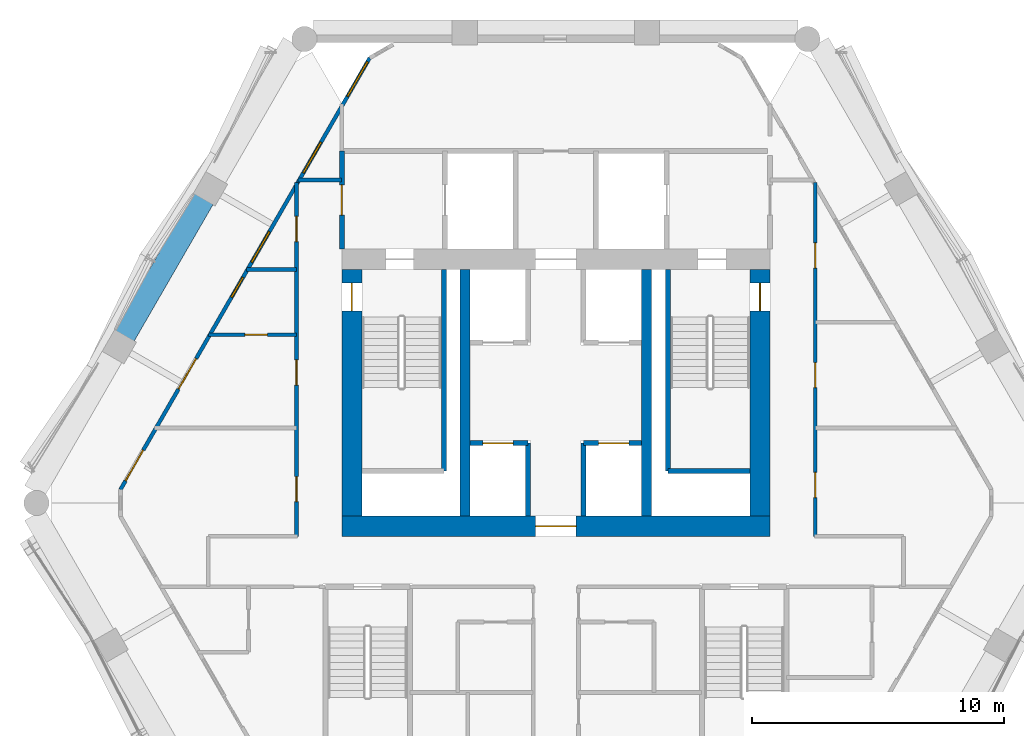
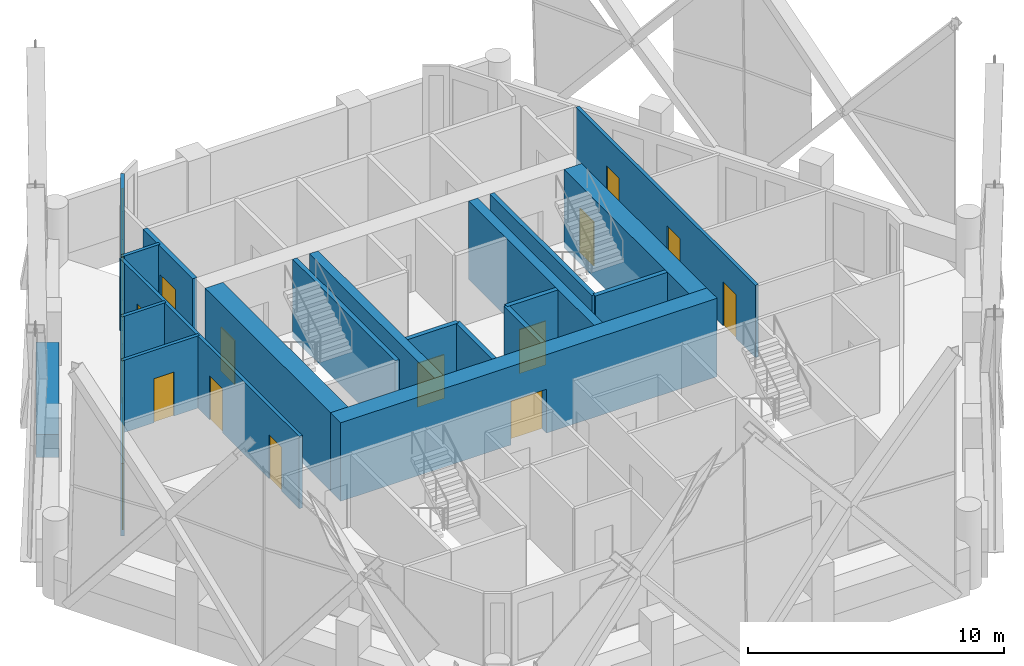
# One storey, part 11 of 18: 20 walls, 15 doors, 4 windows, 19 openings.
"""IFC4 building model written with IfcOpenShell, lengths in metres."""

from ifc_helpers import new_model, si_unit, direction, frame, frame_2d, origin, place, context, subcontext, project, spatial, rectangle, extrude, material, layer, layer_set, type_object, element, fill, save


model = new_model("IFC4")

# Units and contexts
model_context = context("Model", 3, precision=1e-05, world=origin(), true_north=direction((0.0, 1.0)))
body_context = subcontext(model_context, "Body", "Model", "MODEL_VIEW")
ifc_project = project(units=[si_unit("LENGTHUNIT", "METRE"), si_unit("AREAUNIT", "SQUARE_METRE"), si_unit("VOLUMEUNIT", "CUBIC_METRE"), si_unit("PLANEANGLEUNIT", "RADIAN"), si_unit("MASSUNIT", "GRAM", prefix="KILO")], contexts=[model_context])

# Site, building, storey
site_placement = place(None, origin())
site = spatial("IfcSite", under=ifc_project, at=site_placement, CompositionType="ELEMENT")
building_placement = place(site_placement, origin())
building = spatial("IfcBuilding", under=site, at=building_placement, Name="Ostrander Bayou Hotel Tower", CompositionType="ELEMENT")
storey_placement = place(building_placement, frame((0.0, 0.0, 175.75)))
storey = spatial("IfcBuildingStorey", under=building, at=storey_placement, Name="L43", CompositionType="ELEMENT", Elevation=175.75)

# Wall, opening, door
ifc_material_1 = material(Name="Concrete f'c 60 MPa", Category="concrete")
ifc_layer_1 = layer(ifc_material_1, 0.800048828125)
ifc_layer_set_1 = layer_set([ifc_layer_1], Name="CW7 core wall 800 mm f'c 60 MPa")
wall_type_1 = type_object("IfcWallType", Name="CW7 core wall 800 mm f'c 60 MPa", PredefinedType="SHEAR", material=ifc_layer_set_1)
wall_1_placement = place(storey_placement, frame((-8.5, -1.300048828125, -0.300048828125), z_axis=(0.0, 0.0, 1.0), x_axis=(1.0, 0.0, 0.0)))
wall_1 = element("IfcWall", 1, at=wall_1_placement, inside=storey, type_object=wall_type_1, Name="CW7 L43 S", PredefinedType="SHEAR", context=body_context, shape_type="SweptSolid", body=[
    extrude(rectangle(XDim=17.0, YDim=0.800048828125, at=frame_2d((8.5, 0.0))), origin(), (0.0, 0.0, 1.0), 3.75),
])
opening_1_placement = place(wall_1_placement, frame((7.699951171875, 0.0, 0.0)))
opening_1 = element("IfcOpeningElement", 2, at=opening_1_placement, cuts=wall_1, Name="Opening T41-005", PredefinedType="OPENING", context=body_context, shape_type="SweptSolid", body=[
    extrude(rectangle(XDim=1.60009765625, YDim=2.10009765625, at=frame_2d((0.800048828125, 1.050048828125))), frame((0.0, 0.39990234375, 0.0), z_axis=(0.0, -1.0, 0.0), x_axis=(1.0, 0.0, 0.0)), (0.0, 0.0, 1.0), 0.800048828125),
])
ifc_material_2 = material(Name="Timber door leaf", Category="wood")
door_type_1 = type_object("IfcDoorType", Name="D13 double door 1600 x 2100 mm, 1 hour", OperationType="SINGLE_SWING_LEFT", PredefinedType="DOOR", material=ifc_material_2)
door_1_placement = place(opening_1_placement, origin())
door_1 = element("IfcDoor", 3, at=door_1_placement, inside=storey, type_object=door_type_1, Name="dr:L43:005", OperationType="DOUBLE_DOOR_SINGLE_SWING", OverallHeight=2.10009765625, OverallWidth=1.60009765625, PredefinedType="DOOR", context=body_context, shape_type="SweptSolid", body=[
    extrude(rectangle(XDim=1.60009765625, YDim=2.10009765625, at=frame_2d((0.800048828125, 1.050048828125))), frame((0.0, 0.02490234375, 0.0), z_axis=(0.0, -1.0, 0.0), x_axis=(1.0, 0.0, 0.0)), (0.0, 0.0, 1.0), 0.050048828125),
])
fill(opening_1, door_1)

ifc_material_3 = material(Name="Concrete f'c 60 MPa", Category="concrete")
ifc_layer_2 = layer(ifc_material_3, 0.800048828125)
ifc_layer_set_2 = layer_set([ifc_layer_2], Name="CW8 core spine wall 800 mm f'c 60 MPa")
wall_type_2 = type_object("IfcWallType", Name="CW8 core spine wall 800 mm f'c 60 MPa", PredefinedType="SHEAR", material=ifc_layer_set_2)
wall_2_placement = place(storey_placement, frame((-8.10009765625, -0.89990234375, -0.300048828125), z_axis=(0.0, 0.0, 1.0), x_axis=(0.0, 1.0, 0.0)))
wall_2 = element("IfcWall", 4, at=wall_2_placement, inside=storey, type_object=wall_type_2, Name="CW8 L43 W", PredefinedType="SHEAR", context=body_context, shape_type="SweptSolid", body=[
    extrude(rectangle(XDim=9.7998046875, YDim=0.800048828125, at=frame_2d((4.89990234375, 0.0))), origin(), (0.0, 0.0, 1.0), 3.75),
])
opening_2_placement = place(wall_2_placement, frame((8.14990234375, 0.0, 0.0)))
opening_2 = element("IfcOpeningElement", 5, at=opening_2_placement, cuts=wall_2, Name="Opening T41-008", PredefinedType="OPENING", context=body_context, shape_type="SweptSolid", body=[
    extrude(rectangle(XDim=1.10009765625, YDim=2.10009765625, at=frame_2d((0.550048828125, 1.050048828125))), frame((0.0, 0.39990234375, 0.0), z_axis=(0.0, -1.0, 0.0), x_axis=(1.0, 0.0, 0.0)), (0.0, 0.0, 1.0), 0.800048828125),
])
ifc_material_4 = material(Name="Timber door leaf", Category="wood")
door_type_2 = type_object("IfcDoorType", Name="D5 stair door 1100 x 2100 mm, 90 minute", OperationType="SINGLE_SWING_LEFT", PredefinedType="DOOR", material=ifc_material_4)
door_2_placement = place(opening_2_placement, origin())
door_2 = element("IfcDoor", 6, at=door_2_placement, inside=storey, type_object=door_type_2, Name="dr:L43:008", OperationType="SINGLE_SWING_RIGHT", OverallHeight=2.10009765625, OverallWidth=1.10009765625, PredefinedType="DOOR", context=body_context, shape_type="SweptSolid", body=[
    extrude(rectangle(XDim=1.10009765625, YDim=2.10009765625, at=frame_2d((0.550048828125, 1.050048828125))), frame((0.0, 0.02490234375, 0.0), z_axis=(0.0, -1.0, 0.0), x_axis=(1.0, 0.0, 0.0)), (0.0, 0.0, 1.0), 0.050048828125),
])
fill(opening_2, door_2)

wall_3_placement = place(storey_placement, frame((8.10009765625, -0.89990234375, -0.300048828125), z_axis=(0.0, 0.0, 1.0), x_axis=(0.0, 1.0, 0.0)))
wall_3 = element("IfcWall", 7, at=wall_3_placement, inside=storey, type_object=wall_type_2, Name="CW8 L43 E", PredefinedType="SHEAR", context=body_context, shape_type="SweptSolid", body=[
    extrude(rectangle(XDim=9.7998046875, YDim=0.800048828125, at=frame_2d((4.89990234375, 0.0))), origin(), (0.0, 0.0, 1.0), 3.75),
])
opening_3_placement = place(wall_3_placement, frame((8.14990234375, 0.0, 0.0)))
opening_3 = element("IfcOpeningElement", 8, at=opening_3_placement, cuts=wall_3, Name="Opening T41-010", PredefinedType="OPENING", context=body_context, shape_type="SweptSolid", body=[
    extrude(rectangle(XDim=1.10009765625, YDim=2.10009765625, at=frame_2d((0.550048828125, 1.050048828125))), frame((0.0, 0.39990234375, 0.0), z_axis=(0.0, -1.0, 0.0), x_axis=(1.0, 0.0, 0.0)), (0.0, 0.0, 1.0), 0.800048828125),
])
door_3_placement = place(opening_3_placement, origin())
door_3 = element("IfcDoor", 9, at=door_3_placement, inside=storey, type_object=door_type_2, Name="dr:L43:010", OperationType="SINGLE_SWING_LEFT", OverallHeight=2.10009765625, OverallWidth=1.10009765625, PredefinedType="DOOR", context=body_context, shape_type="SweptSolid", body=[
    extrude(rectangle(XDim=1.10009765625, YDim=2.10009765625, at=frame_2d((0.550048828125, 1.050048828125))), frame((0.0, 0.02490234375, 0.0), z_axis=(0.0, -1.0, 0.0), x_axis=(1.0, 0.0, 0.0)), (0.0, 0.0, 1.0), 0.050048828125),
])
fill(opening_3, door_3)

# Walls
ifc_material_5 = material(Name="Concrete f'c 60 MPa", Category="concrete")
ifc_layer_3 = layer(ifc_material_5, 0.39990234375)
ifc_layer_set_3 = layer_set([ifc_layer_3], Name="CW9 core bank wall 400 mm f'c 60 MPa")
wall_type_3 = type_object("IfcWallType", Name="CW9 core bank wall 400 mm f'c 60 MPa", PredefinedType="SHEAR", material=ifc_layer_set_3)
for number, where, z_axis, x_axis, name in (
    (10, (-3.60009765625, -0.89990234375, -0.300048828125), (0.0, 0.0, 1.0), (0.0, 1.0, 0.0), "CW9 L43 CW"),
    (11, (3.60009765625, -0.89990234375, -0.300048828125), (0.0, 0.0, 1.0), (0.0, 1.0, 0.0), "CW9 L43 CE"),
):
    element("IfcWall", number, at=place(storey_placement, frame(where, z_axis=z_axis, x_axis=x_axis)), inside=storey, type_object=wall_type_3, Name=name, PredefinedType="SHEAR", context=body_context, shape_type="SweptSolid", body=[
        extrude(rectangle(XDim=9.7998046875, YDim=0.39990234375, at=frame_2d((4.89990234375, 0.0))), origin(), (0.0, 0.0, 1.0), 3.75),
    ])

# Wall, openings, doors, windows
ifc_material_6 = material(Name="Aluminium framed insulated wall", Category="aluminium")
ifc_layer_4 = layer(ifc_material_6, 0.14990234375)
ifc_layer_set_4 = layer_set([ifc_layer_4], Name="GW1 glass-line wall 150 mm")
wall_type_4 = type_object("IfcWallType", Name="GW1 glass-line wall 150 mm", PredefinedType="SOLIDWALL", material=ifc_layer_set_4)
wall_4_placement = place(storey_placement, frame((-7.392822265625, 17.29248046875, 0.0), z_axis=(0.0, 0.0, 1.0), x_axis=(-0.500001917853, -0.866024296509, 0.0)))
wall_4 = element("IfcWall", 12, at=wall_4_placement, inside=storey, type_object=wall_type_4, Name="GW1 L43 NW 1", PredefinedType="SOLIDWALL", context=body_context, shape_type="SweptSolid", body=[
    extrude(rectangle(XDim=19.78759765625, YDim=0.14990234375, at=frame_2d((9.893798828125, 0.0))), origin(), (0.0, 0.0, 1.0), 3.449951171875),
])
opening_4_placement = place(wall_4_placement, frame((3.867919921875, 0.0, 0.14990234375)))
opening_4 = element("IfcOpeningElement", 13, at=opening_4_placement, cuts=wall_4, Name="Opening W13", PredefinedType="OPENING", context=body_context, shape_type="SweptSolid", body=[
    extrude(rectangle(XDim=1.39990234375, YDim=2.85009765625, at=frame_2d((0.699951171875, 1.425048828125))), frame((0.0, 0.074951171875, 0.0), z_axis=(0.0, -1.0, 0.0), x_axis=(1.0, 0.0, 0.0)), (0.0, 0.0, 1.0), 0.14990234375),
])
opening_5_placement = place(wall_4_placement, frame((10.066650390625, 0.0, 0.14990234375)))
opening_5 = element("IfcOpeningElement", 14, at=opening_5_placement, cuts=wall_4, Name="Opening W17", PredefinedType="OPENING", context=body_context, shape_type="SweptSolid", body=[
    extrude(rectangle(XDim=0.89990234375, YDim=2.85009765625, at=frame_2d((0.449951171875, 1.425048828125))), frame((0.0, 0.074951171875, 0.0), z_axis=(0.0, -1.0, 0.0), x_axis=(1.0, 0.0, 0.0)), (0.0, 0.0, 1.0), 0.14990234375),
])
opening_6_placement = place(wall_4_placement, frame((7.966796875, 0.0, 0.14990234375)))
opening_6 = element("IfcOpeningElement", 15, at=opening_6_placement, cuts=wall_4, Name="Opening W13", PredefinedType="OPENING", context=body_context, shape_type="SweptSolid", body=[
    extrude(rectangle(XDim=1.39990234375, YDim=2.85009765625, at=frame_2d((0.699951171875, 1.425048828125))), frame((0.0, 0.074951171875, 0.0), z_axis=(0.0, -1.0, 0.0), x_axis=(1.0, 0.0, 0.0)), (0.0, 0.0, 1.0), 0.14990234375),
])
opening_7_placement = place(wall_4_placement, frame((13.779296875, 0.0, 0.0)))
opening_7 = element("IfcOpeningElement", 16, at=opening_7_placement, cuts=wall_4, Name="Opening T41-800", PredefinedType="OPENING", context=body_context, shape_type="SweptSolid", body=[
    extrude(rectangle(XDim=1.39990234375, YDim=2.39990234375, at=frame_2d((0.699951171875, 1.199951171875))), frame((0.0, 0.074951171875, 0.0), z_axis=(0.0, -1.0, 0.0), x_axis=(1.0, 0.0, 0.0)), (0.0, 0.0, 1.0), 0.14990234375),
])
opening_8_placement = place(wall_4_placement, frame((17.979248046875, 0.0, 0.0)))
opening_8 = element("IfcOpeningElement", 17, at=opening_8_placement, cuts=wall_4, Name="Opening T41-801", PredefinedType="OPENING", context=body_context, shape_type="SweptSolid", body=[
    extrude(rectangle(XDim=1.39990234375, YDim=2.39990234375, at=frame_2d((0.699951171875, 1.199951171875))), frame((0.0, 0.074951171875, 0.0), z_axis=(0.0, -1.0, 0.0), x_axis=(1.0, 0.0, 0.0)), (0.0, 0.0, 1.0), 0.14990234375),
])
opening_9_placement = place(wall_4_placement, frame((0.168212890625, 0.0, 0.14990234375)))
opening_9 = element("IfcOpeningElement", 18, at=opening_9_placement, cuts=wall_4, Name="Opening W3", PredefinedType="OPENING", context=body_context, shape_type="SweptSolid", body=[
    extrude(rectangle(XDim=1.60009765625, YDim=2.72998046875, at=frame_2d((0.800048828125, 1.364990234375))), frame((0.0, 0.074951171875, 0.0), z_axis=(0.0, -1.0, 0.0), x_axis=(1.0, 0.0, 0.0)), (0.0, 0.0, 1.0), 0.14990234375),
])
ifc_material_7 = material(Name="Aluminium and clear glass", Category="aluminium")
door_type_3 = type_object("IfcDoorType", Name="SD3 sliding glass door 1400 mm, zone 3", OperationType="SLIDING_TO_LEFT", PredefinedType="DOOR", material=ifc_material_7)
door_4_placement = place(opening_7_placement, origin())
door_4 = element("IfcDoor", 19, at=door_4_placement, inside=storey, type_object=door_type_3, Name="SD3 L43 NW 3", OperationType="SLIDING_TO_LEFT", OverallHeight=2.39990234375, OverallWidth=1.39990234375, PredefinedType="DOOR", context=body_context, shape_type="SweptSolid", body=[
    extrude(rectangle(XDim=1.39990234375, YDim=2.39990234375, at=frame_2d((0.699951171875, 1.199951171875))), frame((0.0, 0.02490234375, 0.0), z_axis=(0.0, -1.0, 0.0), x_axis=(1.0, 0.0, 0.0)), (0.0, 0.0, 1.0), 0.050048828125),
])
fill(opening_7, door_4)
door_5_placement = place(opening_8_placement, origin())
door_5 = element("IfcDoor", 20, at=door_5_placement, inside=storey, type_object=door_type_3, Name="SD3 L43 NW 4", OperationType="SLIDING_TO_RIGHT", OverallHeight=2.39990234375, OverallWidth=1.39990234375, PredefinedType="DOOR", context=body_context, shape_type="SweptSolid", body=[
    extrude(rectangle(XDim=1.39990234375, YDim=2.39990234375, at=frame_2d((0.699951171875, 1.199951171875))), frame((0.0, 0.02490234375, 0.0), z_axis=(0.0, -1.0, 0.0), x_axis=(1.0, 0.0, 0.0)), (0.0, 0.0, 1.0), 0.050048828125),
])
fill(opening_8, door_5)
ifc_material_8 = material(Name="Aluminium and clear glass", Category="aluminium")
window_type_1 = type_object("IfcWindowType", Name="W13 fixed window 1400 mm, bath bay, zone 3", PartitioningType="SINGLE_PANEL", PredefinedType="WINDOW", material=ifc_material_8)
window_1_placement = place(opening_4_placement, origin())
window_1 = element("IfcWindow", 21, at=window_1_placement, inside=storey, type_object=window_type_1, Name="W13 L43 NW 1", OverallHeight=2.85009765625, OverallWidth=1.39990234375, PartitioningType="SINGLE_PANEL", PredefinedType="WINDOW", context=body_context, shape_type="SweptSolid", body=[
    extrude(rectangle(XDim=1.39990234375, YDim=2.85009765625, at=frame_2d((0.699951171875, 1.425048828125))), frame((0.0, 0.030029296875, 0.0), z_axis=(0.0, -1.0, 0.0), x_axis=(1.0, 0.0, 0.0)), (0.0, 0.0, 1.0), 0.06005859375),
])
fill(opening_4, window_1)
window_2_placement = place(opening_6_placement, origin())
window_2 = element("IfcWindow", 22, at=window_2_placement, inside=storey, type_object=window_type_1, Name="W13 L43 NW 2", OverallHeight=2.85009765625, OverallWidth=1.39990234375, PartitioningType="SINGLE_PANEL", PredefinedType="WINDOW", context=body_context, shape_type="SweptSolid", body=[
    extrude(rectangle(XDim=1.39990234375, YDim=2.85009765625, at=frame_2d((0.699951171875, 1.425048828125))), frame((0.0, 0.030029296875, 0.0), z_axis=(0.0, -1.0, 0.0), x_axis=(1.0, 0.0, 0.0)), (0.0, 0.0, 1.0), 0.06005859375),
])
fill(opening_6, window_2)
ifc_material_9 = material(Name="Aluminium and clear glass", Category="aluminium")
window_type_2 = type_object("IfcWindowType", Name="W17 window 900 mm, zone 3", PartitioningType="SINGLE_PANEL", PredefinedType="WINDOW", material=ifc_material_9)
window_3_placement = place(opening_5_placement, origin())
window_3 = element("IfcWindow", 23, at=window_3_placement, inside=storey, type_object=window_type_2, Name="W17 L43 NW 2", OverallHeight=2.85009765625, OverallWidth=0.89990234375, PartitioningType="SINGLE_PANEL", PredefinedType="WINDOW", context=body_context, shape_type="SweptSolid", body=[
    extrude(rectangle(XDim=0.89990234375, YDim=2.85009765625, at=frame_2d((0.449951171875, 1.425048828125))), frame((0.0, 0.030029296875, 0.0), z_axis=(0.0, -1.0, 0.0), x_axis=(1.0, 0.0, 0.0)), (0.0, 0.0, 1.0), 0.06005859375),
])
fill(opening_5, window_3)
ifc_material_10 = material(Name="Aluminium and clear glass", Category="aluminium")
window_type_3 = type_object("IfcWindowType", Name="W3 fixed window 1600 mm, zone 3", PartitioningType="SINGLE_PANEL", PredefinedType="WINDOW", material=ifc_material_10)
window_4_placement = place(opening_9_placement, origin())
window_4 = element("IfcWindow", 24, at=window_4_placement, inside=storey, type_object=window_type_3, Name="W3 L43 NW E11", OverallHeight=2.72998046875, OverallWidth=1.60009765625, PartitioningType="SINGLE_PANEL", PredefinedType="WINDOW", context=body_context, shape_type="SweptSolid", body=[
    extrude(rectangle(XDim=1.60009765625, YDim=2.72998046875, at=frame_2d((0.800048828125, 1.364990234375))), frame((0.0, 0.030029296875, 0.0), z_axis=(0.0, -1.0, 0.0), x_axis=(1.0, 0.0, 0.0)), (0.0, 0.0, 1.0), 0.06005859375),
])
fill(opening_9, window_4)

# Wall
ifc_material_11 = material(Name="Concrete f'c 40 MPa", Category="concrete")
ifc_layer_5 = layer(ifc_material_11, 0.89990234375)
ifc_layer_set_5 = layer_set([ifc_layer_5], Name="PA1 stone-faced parapet 900 mm")
wall_type_5 = type_object("IfcWallType", Name="PA1 stone-faced parapet 900 mm", PredefinedType="PARAPET", material=ifc_layer_set_5)
wall_5_placement = place(storey_placement, frame((-13.99169921875, 11.713134765625, 0.0), z_axis=(0.0, 0.0, 1.0), x_axis=(-0.499984268907, -0.866034485945, 0.0)))
element("IfcWall", 25, at=wall_5_placement, inside=storey, type_object=wall_type_5, Name="PA1 L43 NW-2", PredefinedType="PARAPET", context=body_context, shape_type="SweptSolid", body=[
    extrude(rectangle(XDim=6.296142578125, YDim=0.89990234375, at=frame_2d((3.14794921875, 0.0))), origin(), (0.0, 0.0, 1.0), 1.10009765625),
])

# Wall, opening, door
ifc_material_12 = material(Name="Masonry block", Category="masonry")
ifc_layer_6 = layer(ifc_material_12, 0.199951171875)
ifc_layer_set_6 = layer_set([ifc_layer_6], Name="PT5 stair enclosure wall 200 mm masonry, 2 hour")
wall_type_6 = type_object("IfcWallType", Name="PT5 stair enclosure wall 200 mm masonry, 2 hour", PredefinedType="PARTITIONING", material=ifc_layer_set_6)
wall_6_placement = place(storey_placement, frame((-8.5, 9.699951171875, 0.0), z_axis=(0.0, 0.0, 1.0), x_axis=(0.0, 1.0, 0.0)))
wall_6 = element("IfcWall", 26, at=wall_6_placement, inside=storey, type_object=wall_type_6, Name="cs:L43:024", PredefinedType="PARTITIONING", context=body_context, shape_type="SweptSolid", body=[
    extrude(rectangle(XDim=3.900146484375, YDim=0.199951171875, at=frame_2d((1.9501953125, 0.0))), origin(), (0.0, 0.0, 1.0), 3.449951171875),
])
opening_10_placement = place(wall_6_placement, frame((1.35009765625, 0.0, 0.0)))
opening_10 = element("IfcOpeningElement", 27, at=opening_10_placement, cuts=wall_6, Name="Opening T41-014", PredefinedType="OPENING", context=body_context, shape_type="SweptSolid", body=[
    extrude(rectangle(XDim=1.199951171875, YDim=2.10009765625, at=frame_2d((0.60009765625, 1.050048828125))), frame((0.0, 0.10009765625, 0.0), z_axis=(0.0, -1.0, 0.0), x_axis=(1.0, 0.0, 0.0)), (0.0, 0.0, 1.0), 0.199951171875),
])
ifc_material_13 = material(Name="Timber door leaf", Category="wood")
door_type_4 = type_object("IfcDoorType", Name="D7 lobby door 1200 x 2100 mm, 1 hour", OperationType="SINGLE_SWING_LEFT", PredefinedType="DOOR", material=ifc_material_13)
door_6_placement = place(opening_10_placement, origin())
door_6 = element("IfcDoor", 28, at=door_6_placement, inside=storey, type_object=door_type_4, Name="dr:L43:014", OperationType="SINGLE_SWING_LEFT", OverallHeight=2.10009765625, OverallWidth=1.199951171875, PredefinedType="DOOR", context=body_context, shape_type="SweptSolid", body=[
    extrude(rectangle(XDim=1.199951171875, YDim=2.10009765625, at=frame_2d((0.60009765625, 1.050048828125))), frame((0.0, 0.02490234375, 0.0), z_axis=(0.0, -1.0, 0.0), x_axis=(1.0, 0.0, 0.0)), (0.0, 0.0, 1.0), 0.050048828125),
])
fill(opening_10, door_6)

ifc_material_14 = material(Name="Masonry block", Category="masonry")
ifc_layer_7 = layer(ifc_material_14, 0.199951171875)
ifc_layer_set_7 = layer_set([ifc_layer_7], Name="PT6 lift shaft wall 200 mm masonry, 2 hour")
wall_type_7 = type_object("IfcWallType", Name="PT6 lift shaft wall 200 mm masonry, 2 hour", PredefinedType="PARTITIONING", material=ifc_layer_set_7)
wall_7_placement = place(storey_placement, frame((-3.39990234375, 2.0, 0.0), z_axis=(0.0, 0.0, 1.0), x_axis=(1.0, 0.0, 0.0)))
wall_7 = element("IfcWall", 29, at=wall_7_placement, inside=storey, type_object=wall_type_7, Name="cs:L43:001", PredefinedType="PARTITIONING", context=body_context, shape_type="SweptSolid", body=[
    extrude(rectangle(XDim=2.2998046875, YDim=0.199951171875, at=frame_2d((1.14990234375, 0.0))), origin(), (0.0, 0.0, 1.0), 3.449951171875),
])
opening_11_placement = place(wall_7_placement, frame((0.5, 0.0, 0.0)))
opening_11 = element("IfcOpeningElement", 30, at=opening_11_placement, cuts=wall_7, Name="Opening T41-001", PredefinedType="OPENING", context=body_context, shape_type="SweptSolid", body=[
    extrude(rectangle(XDim=1.199951171875, YDim=2.10009765625, at=frame_2d((0.60009765625, 1.050048828125))), frame((0.0, 0.10009765625, 0.0), z_axis=(0.0, -1.0, 0.0), x_axis=(1.0, 0.0, 0.0)), (0.0, 0.0, 1.0), 0.199951171875),
])
ifc_material_15 = material(Name="Stainless steel sliding door", Category="steel")
door_type_5 = type_object("IfcDoorType", Name="LD1 lift landing door 1200 x 2100 mm", OperationType="SINGLE_SWING_LEFT", PredefinedType="DOOR", material=ifc_material_15)
door_7_placement = place(opening_11_placement, origin())
door_7 = element("IfcDoor", 31, at=door_7_placement, inside=storey, type_object=door_type_5, Name="dr:L43:001", OperationType="SLIDING_TO_LEFT", OverallHeight=2.10009765625, OverallWidth=1.199951171875, PredefinedType="DOOR", context=body_context, shape_type="SweptSolid", body=[
    extrude(rectangle(XDim=1.199951171875, YDim=2.10009765625, at=frame_2d((0.60009765625, 1.050048828125))), frame((0.0, 0.02490234375, 0.0), z_axis=(0.0, -1.0, 0.0), x_axis=(1.0, 0.0, 0.0)), (0.0, 0.0, 1.0), 0.050048828125),
])
fill(opening_11, door_7)

wall_8_placement = place(storey_placement, frame((1.10009765625, 2.0, 0.0), z_axis=(0.0, 0.0, 1.0), x_axis=(1.0, 0.0, 0.0)))
wall_8 = element("IfcWall", 32, at=wall_8_placement, inside=storey, type_object=wall_type_7, Name="cs:L43:003", PredefinedType="PARTITIONING", context=body_context, shape_type="SweptSolid", body=[
    extrude(rectangle(XDim=2.2998046875, YDim=0.199951171875, at=frame_2d((1.14990234375, 0.0))), origin(), (0.0, 0.0, 1.0), 3.449951171875),
])
opening_12_placement = place(wall_8_placement, frame((0.60009765625, 0.0, 0.0)))
opening_12 = element("IfcOpeningElement", 33, at=opening_12_placement, cuts=wall_8, Name="Opening T41-002", PredefinedType="OPENING", context=body_context, shape_type="SweptSolid", body=[
    extrude(rectangle(XDim=1.199951171875, YDim=2.10009765625, at=frame_2d((0.60009765625, 1.050048828125))), frame((0.0, 0.10009765625, 0.0), z_axis=(0.0, -1.0, 0.0), x_axis=(1.0, 0.0, 0.0)), (0.0, 0.0, 1.0), 0.199951171875),
])
door_8_placement = place(opening_12_placement, origin())
door_8 = element("IfcDoor", 34, at=door_8_placement, inside=storey, type_object=door_type_5, Name="dr:L43:002", OperationType="SLIDING_TO_LEFT", OverallHeight=2.10009765625, OverallWidth=1.199951171875, PredefinedType="DOOR", context=body_context, shape_type="SweptSolid", body=[
    extrude(rectangle(XDim=1.199951171875, YDim=2.10009765625, at=frame_2d((0.60009765625, 1.050048828125))), frame((0.0, 0.02490234375, 0.0), z_axis=(0.0, -1.0, 0.0), x_axis=(1.0, 0.0, 0.0)), (0.0, 0.0, 1.0), 0.050048828125),
])
fill(opening_12, door_8)

# Walls
for number, where, z_axis, x_axis, name in (
    (35, (-1.10009765625, -0.89990234375, 0.0), (0.0, 0.0, 1.0), (0.0, 1.0, 0.0), "cs:L43:005"),
    (36, (1.10009765625, -0.89990234375, 0.0), (0.0, 0.0, 1.0), (0.0, 1.0, 0.0), "cs:L43:006"),
):
    element("IfcWall", number, at=place(storey_placement, frame(where, z_axis=z_axis, x_axis=x_axis)), inside=storey, type_object=wall_type_7, Name=name, PredefinedType="PARTITIONING", context=body_context, shape_type="SweptSolid", body=[
        extrude(rectangle(XDim=2.89990234375, YDim=0.199951171875, at=frame_2d((1.449951171875, 0.0))), origin(), (0.0, 0.0, 1.0), 3.449951171875),
    ])

# Wall, opening, door
ifc_material_16 = material(Name="Gypsum board partition", Category="finish")
ifc_layer_8 = layer(ifc_material_16, 0.14990234375)
ifc_layer_set_8 = layer_set([ifc_layer_8], Name="PT8 service band wall 150 mm, 1 hour")
wall_type_8 = type_object("IfcWallType", Name="PT8 service band wall 150 mm, 1 hour", PredefinedType="PARTITIONING", material=ifc_layer_set_8)
wall_9_placement = place(storey_placement, frame((-13.791015625, 6.300048828125, 0.0), z_axis=(0.0, 0.0, 1.0), x_axis=(1.0, 0.0, 0.0)))
wall_9 = element("IfcWall", 37, at=wall_9_placement, inside=storey, type_object=wall_type_8, Name="gw:L43:018", PredefinedType="PARTITIONING", context=body_context, shape_type="SweptSolid", body=[
    extrude(rectangle(XDim=3.490966796875, YDim=0.14990234375, at=frame_2d((1.74560546875, 0.0))), origin(), (0.0, 0.0, 1.0), 3.449951171875),
])
opening_13_placement = place(wall_9_placement, frame((1.44091796875, 0.0, 0.0)))
opening_13 = element("IfcOpeningElement", 38, at=opening_13_placement, cuts=wall_9, Name="Opening T41-414", PredefinedType="OPENING", context=body_context, shape_type="SweptSolid", body=[
    extrude(rectangle(XDim=0.89990234375, YDim=2.10009765625, at=frame_2d((0.449951171875, 1.050048828125))), frame((0.0, 0.074951171875, 0.0), z_axis=(0.0, -1.0, 0.0), x_axis=(1.0, 0.0, 0.0)), (0.0, 0.0, 1.0), 0.14990234375),
])
ifc_material_17 = material(Name="Timber door leaf", Category="wood")
door_type_6 = type_object("IfcDoorType", Name="D8 room door 900 x 2100 mm", OperationType="SINGLE_SWING_LEFT", PredefinedType="DOOR", material=ifc_material_17)
door_9_placement = place(opening_13_placement, origin())
door_9 = element("IfcDoor", 39, at=door_9_placement, inside=storey, type_object=door_type_6, Name="dr:L43:414", OperationType="SINGLE_SWING_RIGHT", OverallHeight=2.10009765625, OverallWidth=0.89990234375, PredefinedType="DOOR", context=body_context, shape_type="SweptSolid", body=[
    extrude(rectangle(XDim=0.89990234375, YDim=2.10009765625, at=frame_2d((0.449951171875, 1.050048828125))), frame((0.0, 0.02490234375, 0.0), z_axis=(0.0, -1.0, 0.0), x_axis=(1.0, 0.0, 0.0)), (0.0, 0.0, 1.0), 0.050048828125),
])
fill(opening_13, door_9)

# Walls
wall_10_placement = place(storey_placement, frame((-12.2900390625, 8.89990234375, 0.0), z_axis=(0.0, 0.0, 1.0), x_axis=(1.0, 0.0, 0.0)))
element("IfcWall", 40, at=wall_10_placement, inside=storey, type_object=wall_type_8, Name="gw:L43:020", PredefinedType="PARTITIONING", context=body_context, shape_type="SweptSolid", body=[
    extrude(rectangle(XDim=1.989990234375, YDim=0.14990234375, at=frame_2d((0.9951171875, 0.0))), origin(), (0.0, 0.0, 1.0), 3.449951171875),
])
wall_11_placement = place(storey_placement, frame((-10.240966796875, 12.449951171875, 0.0), z_axis=(0.0, 0.0, 1.0), x_axis=(1.0, 0.0, 0.0)))
element("IfcWall", 41, at=wall_11_placement, inside=storey, type_object=wall_type_8, Name="gw:L43:021", PredefinedType="PARTITIONING", context=body_context, shape_type="SweptSolid", body=[
    extrude(rectangle(XDim=1.73095703125, YDim=0.14990234375, at=frame_2d((0.865478515625, 0.0))), origin(), (0.0, 0.0, 1.0), 3.449951171875),
])

# Wall, openings, doors
wall_12_placement = place(storey_placement, frame((10.300048828125, -1.699951171875, 0.0), z_axis=(0.0, 0.0, 1.0), x_axis=(0.0, 1.0, 0.0)))
wall_12 = element("IfcWall", 42, at=wall_12_placement, inside=storey, type_object=wall_type_8, Name="gw:L43:025", PredefinedType="PARTITIONING", context=body_context, shape_type="SweptSolid", body=[
    extrude(rectangle(XDim=14.046875, YDim=0.14990234375, at=frame_2d((7.0234375, 0.0))), origin(), (0.0, 0.0, 1.0), 3.449951171875),
])
opening_14_placement = place(wall_12_placement, frame((1.535888671875, 0.0, 0.0)))
opening_14 = element("IfcOpeningElement", 43, at=opening_14_placement, cuts=wall_12, Name="Opening T41-416", PredefinedType="OPENING", context=body_context, shape_type="SweptSolid", body=[
    extrude(rectangle(XDim=1.0, YDim=2.10009765625, at=frame_2d((0.5, 1.050048828125))), frame((0.0, 0.074951171875, 0.0), z_axis=(0.0, -1.0, 0.0), x_axis=(1.0, 0.0, 0.0)), (0.0, 0.0, 1.0), 0.14990234375),
])
opening_15_placement = place(wall_12_placement, frame((5.89990234375, 0.0, 0.0)))
opening_15 = element("IfcOpeningElement", 44, at=opening_15_placement, cuts=wall_12, Name="Opening T41-417", PredefinedType="OPENING", context=body_context, shape_type="SweptSolid", body=[
    extrude(rectangle(XDim=1.0, YDim=2.10009765625, at=frame_2d((0.5, 1.050048828125))), frame((0.0, 0.074951171875, 0.0), z_axis=(0.0, -1.0, 0.0), x_axis=(1.0, 0.0, 0.0)), (0.0, 0.0, 1.0), 0.14990234375),
])
opening_16_placement = place(wall_12_placement, frame((10.652099609375, 0.0, 0.0)))
opening_16 = element("IfcOpeningElement", 45, at=opening_16_placement, cuts=wall_12, Name="Opening T41-418", PredefinedType="OPENING", context=body_context, shape_type="SweptSolid", body=[
    extrude(rectangle(XDim=1.0, YDim=2.10009765625, at=frame_2d((0.5, 1.050048828125))), frame((0.0, 0.074951171875, 0.0), z_axis=(0.0, -1.0, 0.0), x_axis=(1.0, 0.0, 0.0)), (0.0, 0.0, 1.0), 0.14990234375),
])
ifc_material_18 = material(Name="Timber door leaf", Category="wood")
door_type_7 = type_object("IfcDoorType", Name="D15 room door 1000 x 2100 mm", OperationType="SINGLE_SWING_LEFT", PredefinedType="DOOR", material=ifc_material_18)
door_10_placement = place(opening_14_placement, origin())
door_10 = element("IfcDoor", 46, at=door_10_placement, inside=storey, type_object=door_type_7, Name="dr:L43:416", OperationType="SINGLE_SWING_LEFT", OverallHeight=2.10009765625, OverallWidth=1.0, PredefinedType="DOOR", context=body_context, shape_type="SweptSolid", body=[
    extrude(rectangle(XDim=1.0, YDim=2.10009765625, at=frame_2d((0.5, 1.050048828125))), frame((0.0, 0.02490234375, 0.0), z_axis=(0.0, -1.0, 0.0), x_axis=(1.0, 0.0, 0.0)), (0.0, 0.0, 1.0), 0.050048828125),
])
fill(opening_14, door_10)
ifc_material_19 = material(Name="Timber door leaf", Category="wood")
door_type_8 = type_object("IfcDoorType", Name="D9 service door 1000 x 2100 mm, 30 minute", OperationType="SINGLE_SWING_LEFT", PredefinedType="DOOR", material=ifc_material_19)
door_11_placement = place(opening_15_placement, origin())
door_11 = element("IfcDoor", 47, at=door_11_placement, inside=storey, type_object=door_type_8, Name="dr:L43:417", OperationType="SINGLE_SWING_LEFT", OverallHeight=2.10009765625, OverallWidth=1.0, PredefinedType="DOOR", context=body_context, shape_type="SweptSolid", body=[
    extrude(rectangle(XDim=1.0, YDim=2.10009765625, at=frame_2d((0.5, 1.050048828125))), frame((0.0, 0.02490234375, 0.0), z_axis=(0.0, -1.0, 0.0), x_axis=(1.0, 0.0, 0.0)), (0.0, 0.0, 1.0), 0.050048828125),
])
fill(opening_15, door_11)
door_12_placement = place(opening_16_placement, origin())
door_12 = element("IfcDoor", 48, at=door_12_placement, inside=storey, type_object=door_type_8, Name="dr:L43:418", OperationType="SINGLE_SWING_LEFT", OverallHeight=2.10009765625, OverallWidth=1.0, PredefinedType="DOOR", context=body_context, shape_type="SweptSolid", body=[
    extrude(rectangle(XDim=1.0, YDim=2.10009765625, at=frame_2d((0.5, 1.050048828125))), frame((0.0, 0.02490234375, 0.0), z_axis=(0.0, -1.0, 0.0), x_axis=(1.0, 0.0, 0.0)), (0.0, 0.0, 1.0), 0.050048828125),
])
fill(opening_16, door_12)

wall_13_placement = place(storey_placement, frame((-10.300048828125, -1.699951171875, 0.0), z_axis=(0.0, 0.0, 1.0), x_axis=(0.0, 1.0, 0.0)))
wall_13 = element("IfcWall", 49, at=wall_13_placement, inside=storey, type_object=wall_type_8, Name="gw:L43:036", PredefinedType="PARTITIONING", context=body_context, shape_type="SweptSolid", body=[
    extrude(rectangle(XDim=14.046875, YDim=0.14990234375, at=frame_2d((7.0234375, 0.0))), origin(), (0.0, 0.0, 1.0), 3.449951171875),
])
opening_17_placement = place(wall_13_placement, frame((1.3740234375, 0.0, 0.0)))
opening_17 = element("IfcOpeningElement", 50, at=opening_17_placement, cuts=wall_13, Name="Opening T41-412", PredefinedType="OPENING", context=body_context, shape_type="SweptSolid", body=[
    extrude(rectangle(XDim=1.0, YDim=2.10009765625, at=frame_2d((0.5, 1.050048828125))), frame((0.0, 0.074951171875, 0.0), z_axis=(0.0, -1.0, 0.0), x_axis=(1.0, 0.0, 0.0)), (0.0, 0.0, 1.0), 0.14990234375),
])
opening_18_placement = place(wall_13_placement, frame((6.0048828125, 0.0, 0.0)))
opening_18 = element("IfcOpeningElement", 51, at=opening_18_placement, cuts=wall_13, Name="Opening T41-413", PredefinedType="OPENING", context=body_context, shape_type="SweptSolid", body=[
    extrude(rectangle(XDim=1.0, YDim=2.10009765625, at=frame_2d((0.5, 1.050048828125))), frame((0.0, 0.074951171875, 0.0), z_axis=(0.0, -1.0, 0.0), x_axis=(1.0, 0.0, 0.0)), (0.0, 0.0, 1.0), 0.14990234375),
])
opening_19_placement = place(wall_13_placement, frame((11.701904296875, 0.0, 0.0)))
opening_19 = element("IfcOpeningElement", 52, at=opening_19_placement, cuts=wall_13, Name="Opening T41-415", PredefinedType="OPENING", context=body_context, shape_type="SweptSolid", body=[
    extrude(rectangle(XDim=1.0, YDim=2.10009765625, at=frame_2d((0.5, 1.050048828125))), frame((0.0, 0.074951171875, 0.0), z_axis=(0.0, -1.0, 0.0), x_axis=(1.0, 0.0, 0.0)), (0.0, 0.0, 1.0), 0.14990234375),
])
door_13_placement = place(opening_17_placement, origin())
door_13 = element("IfcDoor", 53, at=door_13_placement, inside=storey, type_object=door_type_7, Name="dr:L43:412", OperationType="SINGLE_SWING_LEFT", OverallHeight=2.10009765625, OverallWidth=1.0, PredefinedType="DOOR", context=body_context, shape_type="SweptSolid", body=[
    extrude(rectangle(XDim=1.0, YDim=2.10009765625, at=frame_2d((0.5, 1.050048828125))), frame((0.0, 0.02490234375, 0.0), z_axis=(0.0, -1.0, 0.0), x_axis=(1.0, 0.0, 0.0)), (0.0, 0.0, 1.0), 0.050048828125),
])
fill(opening_17, door_13)
door_14_placement = place(opening_18_placement, origin())
door_14 = element("IfcDoor", 54, at=door_14_placement, inside=storey, type_object=door_type_7, Name="dr:L43:413", OperationType="SINGLE_SWING_LEFT", OverallHeight=2.10009765625, OverallWidth=1.0, PredefinedType="DOOR", context=body_context, shape_type="SweptSolid", body=[
    extrude(rectangle(XDim=1.0, YDim=2.10009765625, at=frame_2d((0.5, 1.050048828125))), frame((0.0, 0.02490234375, 0.0), z_axis=(0.0, -1.0, 0.0), x_axis=(1.0, 0.0, 0.0)), (0.0, 0.0, 1.0), 0.050048828125),
])
fill(opening_18, door_14)
door_15_placement = place(opening_19_placement, origin())
door_15 = element("IfcDoor", 55, at=door_15_placement, inside=storey, type_object=door_type_8, Name="dr:L43:415", OperationType="SINGLE_SWING_LEFT", OverallHeight=2.10009765625, OverallWidth=1.0, PredefinedType="DOOR", context=body_context, shape_type="SweptSolid", body=[
    extrude(rectangle(XDim=1.0, YDim=2.10009765625, at=frame_2d((0.5, 1.050048828125))), frame((0.0, 0.02490234375, 0.0), z_axis=(0.0, -1.0, 0.0), x_axis=(1.0, 0.0, 0.0)), (0.0, 0.0, 1.0), 0.050048828125),
])
fill(opening_19, door_15)

# Walls
ifc_material_20 = material(Name="Concrete f'c 45 MPa", Category="concrete")
ifc_layer_9 = layer(ifc_material_20, 0.199951171875)
ifc_layer_set_9 = layer_set([ifc_layer_9], Name="SW5 stair enclosure wall 200 mm f'c 45 MPa")
wall_type_9 = type_object("IfcWallType", Name="SW5 stair enclosure wall 200 mm f'c 45 MPa", PredefinedType="SOLIDWALL", material=ifc_layer_set_9)
for number, where, z_axis, x_axis, name in (
    (56, (-4.449951171875, 0.89990234375, -0.300048828125), (0.0, 0.0, 1.0), (0.0, 1.0, 0.0), "cs:L43:009"),
    (57, (4.449951171875, 0.89990234375, -0.300048828125), (0.0, 0.0, 1.0), (0.0, 1.0, 0.0), "cs:L43:011"),
):
    element("IfcWall", number, at=place(storey_placement, frame(where, z_axis=z_axis, x_axis=x_axis)), inside=storey, type_object=wall_type_9, Name=name, PredefinedType="SOLIDWALL", context=body_context, shape_type="SweptSolid", body=[
        extrude(rectangle(XDim=8.0, YDim=0.199951171875, at=frame_2d((4.0, 0.0))), origin(), (0.0, 0.0, 1.0), 3.75),
    ])
wall_14_placement = place(storey_placement, frame((4.449951171875, 0.89990234375, -0.300048828125), z_axis=(0.0, 0.0, 1.0), x_axis=(1.0, 0.0, 0.0)))
element("IfcWall", 58, at=wall_14_placement, inside=storey, type_object=wall_type_9, Name="cs:L43:012", PredefinedType="SOLIDWALL", context=body_context, shape_type="SweptSolid", body=[
    extrude(rectangle(XDim=3.25, YDim=0.199951171875, at=frame_2d((1.625, 0.0))), origin(), (0.0, 0.0, 1.0), 3.75),
])

save(model, "model.ifc")
